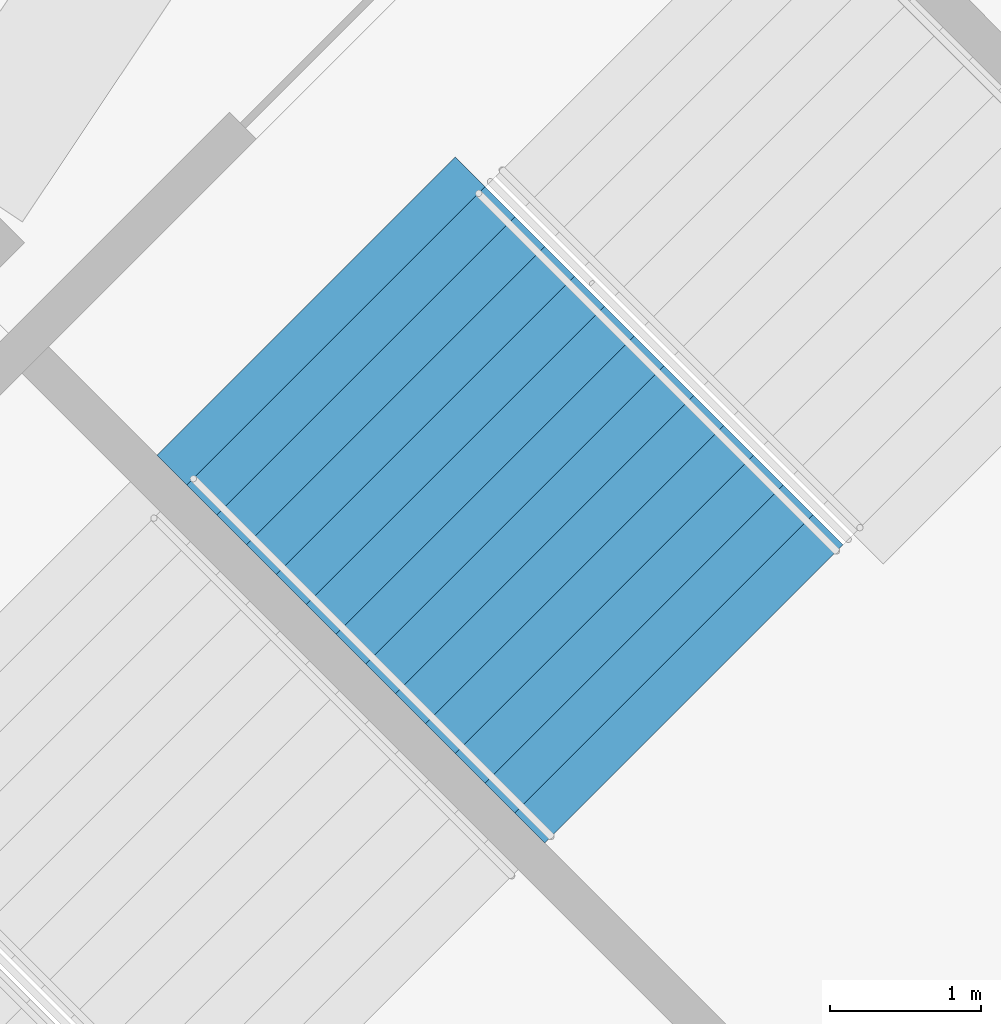
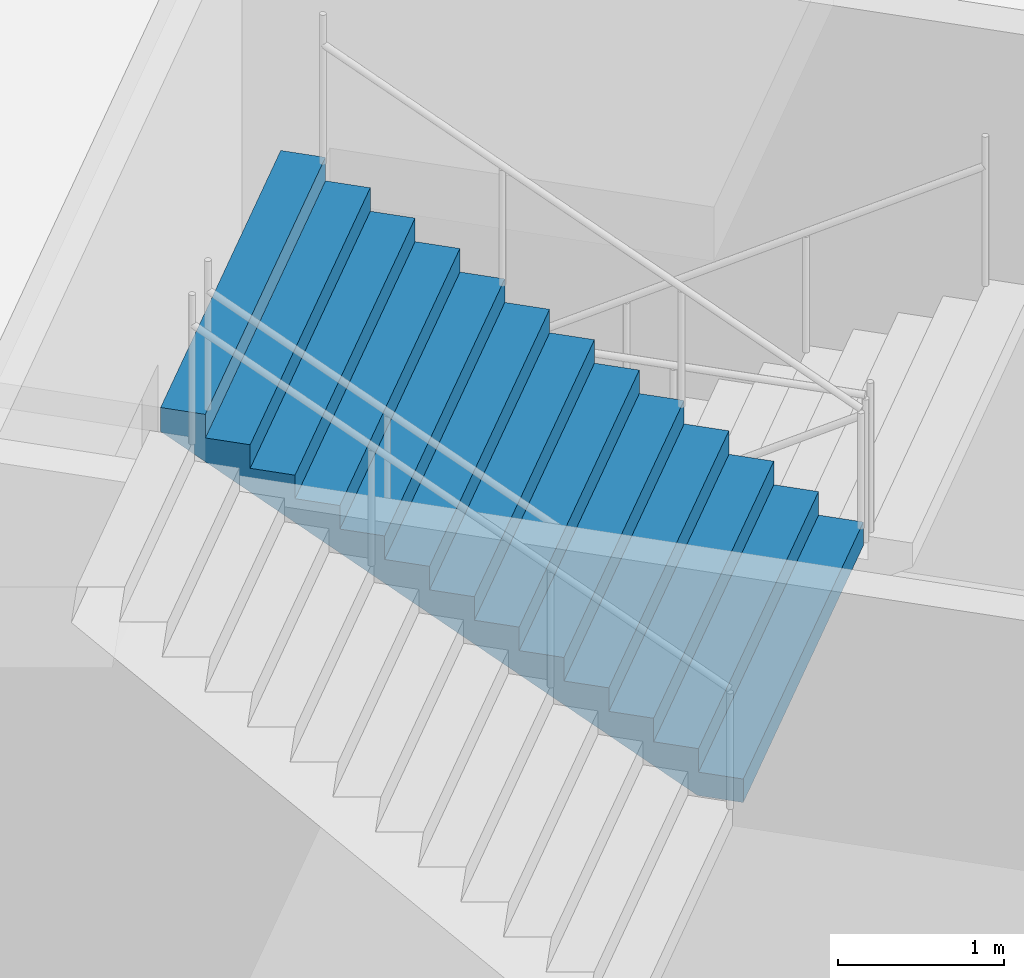
# One storey, part 136 of 199: 1 stair flight, 1 element without a shape of its own.
"""IFC4 building model written with IfcOpenShell, lengths in metres."""

from ifc_helpers import new_model, si_unit, direction, frame, origin, place, context, subcontext, project, spatial, faceted_brep, material, type_object, element, aggregate, save


model = new_model("IFC4")

# Units and contexts
model_context = context("Model", 3, precision=1e-05, world=origin(), true_north=direction((0.0, 1.0)))
body_context = subcontext(model_context, "Body", "Model", "MODEL_VIEW")
ifc_project = project(units=[si_unit("LENGTHUNIT", "METRE"), si_unit("AREAUNIT", "SQUARE_METRE"), si_unit("VOLUMEUNIT", "CUBIC_METRE"), si_unit("PLANEANGLEUNIT", "RADIAN"), si_unit("MASSUNIT", "GRAM", prefix="KILO")], contexts=[model_context])

# Site, building, storey
site_placement = place(None, origin())
site = spatial("IfcSite", under=ifc_project, at=site_placement, CompositionType="ELEMENT")
building_placement = place(site_placement, origin())
building = spatial("IfcBuilding", under=site, at=building_placement, Name="Ogive Plaza Stadium", CompositionType="ELEMENT")
storey_placement = place(building_placement, frame((0.0, 0.0, 9.0)))
storey = spatial("IfcBuildingStorey", under=building, at=storey_placement, Name="L02", CompositionType="ELEMENT", Elevation=9.0)

# Stair, stair flight
ifc_material_1 = material(Name="Concrete C40/50", Category="concrete")
stair_type = type_object("IfcStairType", Name="Exit stair", PredefinedType="STRAIGHT_RUN_STAIR", material=ifc_material_1)
stair_placement = place(storey_placement, origin())
stair = element("IfcStair", 1, at=stair_placement, inside=storey, type_object=stair_type, Name="Exit stair ST10B L02 to L03", PredefinedType="STRAIGHT_RUN_STAIR")
ifc_material_2 = material(Name="Concrete C40/50", Category="concrete")
stair_flight_type = type_object("IfcStairFlightType", Name="Exit stair flight", PredefinedType="STRAIGHT", material=ifc_material_2)
stair_flight_placement = place(storey_placement, frame((67.400146484375, -83.743408203125, 2.25), z_axis=(0.0, 0.0, 1.0), x_axis=(-0.707106781187, 0.707106781187, 0.0)))
stair_flight = element("IfcStairFlight", 2, at=stair_flight_placement, type_object=stair_flight_type, Name="ST10B flight 2", NumberOfRisers=13, NumberOfTreads=12, PredefinedType="STRAIGHT", RiserHeight=0.173076923, TreadLength=0.28, context=body_context, shape_type="Brep", body=[
    faceted_brep([(0.28515625, -1.39990234375, 0.0), (3.639892578125, -1.39990234375, 2.07373046875), (3.639892578125, -1.39990234375, 2.25), (3.360107421875, -1.39990234375, 2.25), (3.360107421875, -1.39990234375, 2.076904296875), (3.080078125, -1.39990234375, 2.076904296875), (3.080078125, -1.39990234375, 1.90380859375), (2.800048828125, -1.39990234375, 1.90380859375), (2.800048828125, -1.39990234375, 1.730712890625), (2.52001953125, -1.39990234375, 1.730712890625), (2.52001953125, -1.39990234375, 1.5576171875), (2.239990234375, -1.39990234375, 1.5576171875), (2.239990234375, -1.39990234375, 1.384521484375), (1.9599609375, -1.39990234375, 1.384521484375), (1.9599609375, -1.39990234375, 1.21142578125), (1.679931640625, -1.39990234375, 1.21142578125), (1.679931640625, -1.39990234375, 1.03857421875), (1.39990234375, -1.39990234375, 1.03857421875), (1.39990234375, -1.39990234375, 0.865478515625), (1.1201171875, -1.39990234375, 0.865478515625), (1.1201171875, -1.39990234375, 0.6923828125), (0.840087890625, -1.39990234375, 0.6923828125), (0.840087890625, -1.39990234375, 0.519287109375), (0.56005859375, -1.39990234375, 0.519287109375), (0.56005859375, -1.39990234375, 0.34619140625), (0.280029296875, -1.39990234375, 0.34619140625), (0.280029296875, -1.39990234375, 0.173095703125), (0.0, -1.39990234375, 0.173095703125), (0.0, -1.39990234375, 0.0), (0.0, 1.39990234375, 0.0), (0.0, 1.39990234375, 0.173095703125), (0.280029296875, 1.39990234375, 0.173095703125), (0.280029296875, 1.39990234375, 0.34619140625), (0.56005859375, 1.39990234375, 0.34619140625), (0.56005859375, 1.39990234375, 0.519287109375), (0.840087890625, 1.39990234375, 0.519287109375), (0.840087890625, 1.39990234375, 0.6923828125), (1.1201171875, 1.39990234375, 0.6923828125), (1.1201171875, 1.39990234375, 0.865478515625), (1.39990234375, 1.39990234375, 0.865478515625), (1.39990234375, 1.39990234375, 1.03857421875), (1.679931640625, 1.39990234375, 1.03857421875), (1.679931640625, 1.39990234375, 1.21142578125), (1.9599609375, 1.39990234375, 1.21142578125), (1.9599609375, 1.39990234375, 1.384521484375), (2.239990234375, 1.39990234375, 1.384521484375), (2.239990234375, 1.39990234375, 1.5576171875), (2.52001953125, 1.39990234375, 1.5576171875), (2.52001953125, 1.39990234375, 1.730712890625), (2.800048828125, 1.39990234375, 1.730712890625), (2.800048828125, 1.39990234375, 1.90380859375), (3.080078125, 1.39990234375, 1.90380859375), (3.080078125, 1.39990234375, 2.076904296875), (3.360107421875, 1.39990234375, 2.076904296875), (3.360107421875, 1.39990234375, 2.25), (3.639892578125, 1.39990234375, 2.25), (3.639892578125, 1.39990234375, 2.07373046875), (0.28515625, 1.39990234375, 0.0), (0.28515625, -1.0888671875, 0.0), (3.639892578125, -1.0888671875, 2.07373046875), (0.28515625, -0.77783203125, 0.0), (3.639892578125, -0.77783203125, 2.07373046875), (0.28515625, -0.466796875, 0.0), (3.639892578125, -0.466796875, 2.07373046875), (0.28515625, -0.155517578125, 0.0), (3.639892578125, -0.155517578125, 2.07373046875), (0.28515625, 0.155517578125, 0.0), (3.639892578125, 0.155517578125, 2.07373046875), (0.28515625, 0.466796875, 0.0), (3.639892578125, 0.466796875, 2.07373046875), (0.28515625, 0.77783203125, 0.0), (3.639892578125, 0.77783203125, 2.07373046875), (0.28515625, 1.0888671875, 0.0), (3.639892578125, 1.0888671875, 2.07373046875), (3.639892578125, -1.0888671875, 2.25), (3.639892578125, -0.77783203125, 2.25), (3.639892578125, -0.466796875, 2.25), (3.639892578125, -0.155517578125, 2.25), (3.639892578125, 0.155517578125, 2.25), (3.639892578125, 0.466796875, 2.25), (3.639892578125, 0.77783203125, 2.25), (3.639892578125, 1.0888671875, 2.25), (3.360107421875, -1.0888671875, 2.25), (3.360107421875, -0.77783203125, 2.25), (3.360107421875, -0.466796875, 2.25), (3.360107421875, -0.155517578125, 2.25), (3.360107421875, 0.155517578125, 2.25), (3.360107421875, 0.466796875, 2.25), (3.360107421875, 0.77783203125, 2.25), (3.360107421875, 1.0888671875, 2.25), (3.360107421875, -1.0888671875, 2.076904296875), (3.360107421875, -0.77783203125, 2.076904296875), (3.360107421875, -0.466796875, 2.076904296875), (3.360107421875, -0.155517578125, 2.076904296875), (3.360107421875, 0.155517578125, 2.076904296875), (3.360107421875, 0.466796875, 2.076904296875), (3.360107421875, 0.77783203125, 2.076904296875), (3.360107421875, 1.0888671875, 2.076904296875), (3.080078125, -1.0888671875, 2.076904296875), (3.080078125, -0.77783203125, 2.076904296875), (3.080078125, -0.466796875, 2.076904296875), (3.080078125, -0.155517578125, 2.076904296875), (3.080078125, 0.155517578125, 2.076904296875), (3.080078125, 0.466796875, 2.076904296875), (3.080078125, 0.77783203125, 2.076904296875), (3.080078125, 1.0888671875, 2.076904296875), (3.080078125, -1.0888671875, 1.90380859375), (3.080078125, -0.77783203125, 1.90380859375), (3.080078125, -0.466796875, 1.90380859375), (3.080078125, -0.155517578125, 1.90380859375), (3.080078125, 0.155517578125, 1.90380859375), (3.080078125, 0.466796875, 1.90380859375), (3.080078125, 0.77783203125, 1.90380859375), (3.080078125, 1.0888671875, 1.90380859375), (2.800048828125, -1.0888671875, 1.90380859375), (2.800048828125, -0.77783203125, 1.90380859375), (2.800048828125, -0.466796875, 1.90380859375), (2.800048828125, -0.155517578125, 1.90380859375), (2.800048828125, 0.155517578125, 1.90380859375), (2.800048828125, 0.466796875, 1.90380859375), (2.800048828125, 0.77783203125, 1.90380859375), (2.800048828125, 1.0888671875, 1.90380859375), (2.800048828125, -1.0888671875, 1.730712890625), (2.800048828125, -0.77783203125, 1.730712890625), (2.800048828125, -0.466796875, 1.730712890625), (2.800048828125, -0.155517578125, 1.730712890625), (2.800048828125, 0.155517578125, 1.730712890625), (2.800048828125, 0.466796875, 1.730712890625), (2.800048828125, 0.77783203125, 1.730712890625), (2.800048828125, 1.0888671875, 1.730712890625), (2.52001953125, -1.0888671875, 1.730712890625), (2.52001953125, -0.77783203125, 1.730712890625), (2.52001953125, -0.466796875, 1.730712890625), (2.52001953125, -0.155517578125, 1.730712890625), (2.52001953125, 0.155517578125, 1.730712890625), (2.52001953125, 0.466796875, 1.730712890625), (2.52001953125, 0.77783203125, 1.730712890625), (2.52001953125, 1.0888671875, 1.730712890625), (2.52001953125, -1.0888671875, 1.5576171875), (2.52001953125, -0.77783203125, 1.5576171875), (2.52001953125, -0.466796875, 1.5576171875), (2.52001953125, -0.155517578125, 1.5576171875), (2.52001953125, 0.155517578125, 1.5576171875), (2.52001953125, 0.466796875, 1.5576171875), (2.52001953125, 0.77783203125, 1.5576171875), (2.52001953125, 1.0888671875, 1.5576171875), (2.239990234375, -1.0888671875, 1.5576171875), (2.239990234375, -0.77783203125, 1.5576171875), (2.239990234375, -0.466796875, 1.5576171875), (2.239990234375, -0.155517578125, 1.5576171875), (2.239990234375, 0.155517578125, 1.5576171875), (2.239990234375, 0.466796875, 1.5576171875), (2.239990234375, 0.77783203125, 1.5576171875), (2.239990234375, 1.0888671875, 1.5576171875), (2.239990234375, -1.0888671875, 1.384521484375), (2.239990234375, -0.77783203125, 1.384521484375), (2.239990234375, -0.466796875, 1.384521484375), (2.239990234375, -0.155517578125, 1.384521484375), (2.239990234375, 0.155517578125, 1.384521484375), (2.239990234375, 0.466796875, 1.384521484375), (2.239990234375, 0.77783203125, 1.384521484375), (2.239990234375, 1.0888671875, 1.384521484375), (1.9599609375, -1.0888671875, 1.384521484375), (1.9599609375, -0.77783203125, 1.384521484375), (1.9599609375, -0.466796875, 1.384521484375), (1.9599609375, -0.155517578125, 1.384521484375), (1.9599609375, 0.155517578125, 1.384521484375), (1.9599609375, 0.466796875, 1.384521484375), (1.9599609375, 0.77783203125, 1.384521484375), (1.9599609375, 1.0888671875, 1.384521484375), (1.9599609375, -1.0888671875, 1.21142578125), (1.9599609375, -0.77783203125, 1.21142578125), (1.9599609375, -0.466796875, 1.21142578125), (1.9599609375, -0.155517578125, 1.21142578125), (1.9599609375, 0.155517578125, 1.21142578125), (1.9599609375, 0.466796875, 1.21142578125), (1.9599609375, 0.77783203125, 1.21142578125), (1.9599609375, 1.0888671875, 1.21142578125), (1.679931640625, -1.0888671875, 1.21142578125), (1.679931640625, -0.77783203125, 1.21142578125), (1.679931640625, -0.466796875, 1.21142578125), (1.679931640625, -0.155517578125, 1.21142578125), (1.679931640625, 0.155517578125, 1.21142578125), (1.679931640625, 0.466796875, 1.21142578125), (1.679931640625, 0.77783203125, 1.21142578125), (1.679931640625, 1.0888671875, 1.21142578125), (1.679931640625, -1.0888671875, 1.03857421875), (1.679931640625, -0.77783203125, 1.03857421875), (1.679931640625, -0.466796875, 1.03857421875), (1.679931640625, -0.155517578125, 1.03857421875), (1.679931640625, 0.155517578125, 1.03857421875), (1.679931640625, 0.466796875, 1.03857421875), (1.679931640625, 0.77783203125, 1.03857421875), (1.679931640625, 1.0888671875, 1.03857421875), (1.39990234375, -1.0888671875, 1.03857421875), (1.39990234375, -0.77783203125, 1.03857421875), (1.39990234375, -0.466796875, 1.03857421875), (1.39990234375, -0.155517578125, 1.03857421875), (1.39990234375, 0.155517578125, 1.03857421875), (1.39990234375, 0.466796875, 1.03857421875), (1.39990234375, 0.77783203125, 1.03857421875), (1.39990234375, 1.0888671875, 1.03857421875), (1.39990234375, -1.0888671875, 0.865478515625), (1.39990234375, -0.77783203125, 0.865478515625), (1.39990234375, -0.466796875, 0.865478515625), (1.39990234375, -0.155517578125, 0.865478515625), (1.39990234375, 0.155517578125, 0.865478515625), (1.39990234375, 0.466796875, 0.865478515625), (1.39990234375, 0.77783203125, 0.865478515625), (1.39990234375, 1.0888671875, 0.865478515625), (1.1201171875, -1.0888671875, 0.865478515625), (1.1201171875, -0.77783203125, 0.865478515625), (1.1201171875, -0.466796875, 0.865478515625), (1.1201171875, -0.155517578125, 0.865478515625), (1.1201171875, 0.155517578125, 0.865478515625), (1.1201171875, 0.466796875, 0.865478515625), (1.1201171875, 0.77783203125, 0.865478515625), (1.1201171875, 1.0888671875, 0.865478515625), (1.1201171875, -1.0888671875, 0.6923828125), (1.1201171875, -0.77783203125, 0.6923828125), (1.1201171875, -0.466796875, 0.6923828125), (1.1201171875, -0.155517578125, 0.6923828125), (1.1201171875, 0.155517578125, 0.6923828125), (1.1201171875, 0.466796875, 0.6923828125), (1.1201171875, 0.77783203125, 0.6923828125), (1.1201171875, 1.0888671875, 0.6923828125), (0.840087890625, -1.0888671875, 0.6923828125), (0.840087890625, -0.77783203125, 0.6923828125), (0.840087890625, -0.466796875, 0.6923828125), (0.840087890625, -0.155517578125, 0.6923828125), (0.840087890625, 0.155517578125, 0.6923828125), (0.840087890625, 0.466796875, 0.6923828125), (0.840087890625, 0.77783203125, 0.6923828125), (0.840087890625, 1.0888671875, 0.6923828125), (0.840087890625, -1.0888671875, 0.519287109375), (0.840087890625, -0.77783203125, 0.519287109375), (0.840087890625, -0.466796875, 0.519287109375), (0.840087890625, -0.155517578125, 0.519287109375), (0.840087890625, 0.155517578125, 0.519287109375), (0.840087890625, 0.466796875, 0.519287109375), (0.840087890625, 0.77783203125, 0.519287109375), (0.840087890625, 1.0888671875, 0.519287109375), (0.56005859375, -1.0888671875, 0.519287109375), (0.56005859375, -0.77783203125, 0.519287109375), (0.56005859375, -0.466796875, 0.519287109375), (0.56005859375, -0.155517578125, 0.519287109375), (0.56005859375, 0.155517578125, 0.519287109375), (0.56005859375, 0.466796875, 0.519287109375), (0.56005859375, 0.77783203125, 0.519287109375), (0.56005859375, 1.0888671875, 0.519287109375), (0.56005859375, -1.0888671875, 0.34619140625), (0.56005859375, -0.77783203125, 0.34619140625), (0.56005859375, -0.466796875, 0.34619140625), (0.56005859375, -0.155517578125, 0.34619140625), (0.56005859375, 0.155517578125, 0.34619140625), (0.56005859375, 0.466796875, 0.34619140625), (0.56005859375, 0.77783203125, 0.34619140625), (0.56005859375, 1.0888671875, 0.34619140625), (0.280029296875, -1.0888671875, 0.34619140625), (0.280029296875, -0.77783203125, 0.34619140625), (0.280029296875, -0.466796875, 0.34619140625), (0.280029296875, -0.155517578125, 0.34619140625), (0.280029296875, 0.155517578125, 0.34619140625), (0.280029296875, 0.466796875, 0.34619140625), (0.280029296875, 0.77783203125, 0.34619140625), (0.280029296875, 1.0888671875, 0.34619140625), (0.280029296875, -1.0888671875, 0.173095703125), (0.280029296875, -0.77783203125, 0.173095703125), (0.280029296875, -0.466796875, 0.173095703125), (0.280029296875, -0.155517578125, 0.173095703125), (0.280029296875, 0.155517578125, 0.173095703125), (0.280029296875, 0.466796875, 0.173095703125), (0.280029296875, 0.77783203125, 0.173095703125), (0.280029296875, 1.0888671875, 0.173095703125), (0.0, -1.0888671875, 0.173095703125), (0.0, -0.77783203125, 0.173095703125), (0.0, -0.466796875, 0.173095703125), (0.0, -0.155517578125, 0.173095703125), (0.0, 0.155517578125, 0.173095703125), (0.0, 0.466796875, 0.173095703125), (0.0, 0.77783203125, 0.173095703125), (0.0, 1.0888671875, 0.173095703125), (0.0, -1.0888671875, 0.0), (0.0, -0.77783203125, 0.0), (0.0, -0.466796875, 0.0), (0.0, -0.155517578125, 0.0), (0.0, 0.155517578125, 0.0), (0.0, 0.466796875, 0.0), (0.0, 0.77783203125, 0.0), (0.0, 1.0888671875, 0.0)], [[[0, 1, 2, 3, 4, 5, 6, 7, 8, 9, 10, 11, 12, 13, 14, 15, 16, 17, 18, 19, 20, 21, 22, 23, 24, 25, 26, 27, 28]], [[29, 30, 31, 32, 33, 34, 35, 36, 37, 38, 39, 40, 41, 42, 43, 44, 45, 46, 47, 48, 49, 50, 51, 52, 53, 54, 55, 56, 57]], [[0, 58, 59, 1]], [[58, 60, 61, 59]], [[60, 62, 63, 61]], [[62, 64, 65, 63]], [[64, 66, 67, 65]], [[66, 68, 69, 67]], [[68, 70, 71, 69]], [[70, 72, 73, 71]], [[72, 57, 56, 73]], [[1, 59, 74, 2]], [[59, 61, 75, 74]], [[61, 63, 76, 75]], [[63, 65, 77, 76]], [[65, 67, 78, 77]], [[67, 69, 79, 78]], [[69, 71, 80, 79]], [[71, 73, 81, 80]], [[73, 56, 55, 81]], [[2, 74, 82, 3]], [[74, 75, 83, 82]], [[75, 76, 84, 83]], [[76, 77, 85, 84]], [[77, 78, 86, 85]], [[78, 79, 87, 86]], [[79, 80, 88, 87]], [[80, 81, 89, 88]], [[81, 55, 54, 89]], [[3, 82, 90, 4]], [[82, 83, 91, 90]], [[83, 84, 92, 91]], [[84, 85, 93, 92]], [[85, 86, 94, 93]], [[86, 87, 95, 94]], [[87, 88, 96, 95]], [[88, 89, 97, 96]], [[89, 54, 53, 97]], [[4, 90, 98, 5]], [[90, 91, 99, 98]], [[91, 92, 100, 99]], [[92, 93, 101, 100]], [[93, 94, 102, 101]], [[94, 95, 103, 102]], [[95, 96, 104, 103]], [[96, 97, 105, 104]], [[97, 53, 52, 105]], [[5, 98, 106, 6]], [[98, 99, 107, 106]], [[99, 100, 108, 107]], [[100, 101, 109, 108]], [[101, 102, 110, 109]], [[102, 103, 111, 110]], [[103, 104, 112, 111]], [[104, 105, 113, 112]], [[105, 52, 51, 113]], [[6, 106, 114, 7]], [[106, 107, 115, 114]], [[107, 108, 116, 115]], [[108, 109, 117, 116]], [[109, 110, 118, 117]], [[110, 111, 119, 118]], [[111, 112, 120, 119]], [[112, 113, 121, 120]], [[113, 51, 50, 121]], [[7, 114, 122, 8]], [[114, 115, 123, 122]], [[115, 116, 124, 123]], [[116, 117, 125, 124]], [[117, 118, 126, 125]], [[118, 119, 127, 126]], [[119, 120, 128, 127]], [[120, 121, 129, 128]], [[121, 50, 49, 129]], [[8, 122, 130, 9]], [[122, 123, 131, 130]], [[123, 124, 132, 131]], [[124, 125, 133, 132]], [[125, 126, 134, 133]], [[126, 127, 135, 134]], [[127, 128, 136, 135]], [[128, 129, 137, 136]], [[129, 49, 48, 137]], [[9, 130, 138, 10]], [[130, 131, 139, 138]], [[131, 132, 140, 139]], [[132, 133, 141, 140]], [[133, 134, 142, 141]], [[134, 135, 143, 142]], [[135, 136, 144, 143]], [[136, 137, 145, 144]], [[137, 48, 47, 145]], [[10, 138, 146, 11]], [[138, 139, 147, 146]], [[139, 140, 148, 147]], [[140, 141, 149, 148]], [[141, 142, 150, 149]], [[142, 143, 151, 150]], [[143, 144, 152, 151]], [[144, 145, 153, 152]], [[145, 47, 46, 153]], [[11, 146, 154, 12]], [[146, 147, 155, 154]], [[147, 148, 156, 155]], [[148, 149, 157, 156]], [[149, 150, 158, 157]], [[150, 151, 159, 158]], [[151, 152, 160, 159]], [[152, 153, 161, 160]], [[153, 46, 45, 161]], [[12, 154, 162, 13]], [[154, 155, 163, 162]], [[155, 156, 164, 163]], [[156, 157, 165, 164]], [[157, 158, 166, 165]], [[158, 159, 167, 166]], [[159, 160, 168, 167]], [[160, 161, 169, 168]], [[161, 45, 44, 169]], [[13, 162, 170, 14]], [[162, 163, 171, 170]], [[163, 164, 172, 171]], [[164, 165, 173, 172]], [[165, 166, 174, 173]], [[166, 167, 175, 174]], [[167, 168, 176, 175]], [[168, 169, 177, 176]], [[169, 44, 43, 177]], [[14, 170, 178, 15]], [[170, 171, 179, 178]], [[171, 172, 180, 179]], [[172, 173, 181, 180]], [[173, 174, 182, 181]], [[174, 175, 183, 182]], [[175, 176, 184, 183]], [[176, 177, 185, 184]], [[177, 43, 42, 185]], [[15, 178, 186, 16]], [[178, 179, 187, 186]], [[179, 180, 188, 187]], [[180, 181, 189, 188]], [[181, 182, 190, 189]], [[182, 183, 191, 190]], [[183, 184, 192, 191]], [[184, 185, 193, 192]], [[185, 42, 41, 193]], [[16, 186, 194, 17]], [[186, 187, 195, 194]], [[187, 188, 196, 195]], [[188, 189, 197, 196]], [[189, 190, 198, 197]], [[190, 191, 199, 198]], [[191, 192, 200, 199]], [[192, 193, 201, 200]], [[193, 41, 40, 201]], [[17, 194, 202, 18]], [[194, 195, 203, 202]], [[195, 196, 204, 203]], [[196, 197, 205, 204]], [[197, 198, 206, 205]], [[198, 199, 207, 206]], [[199, 200, 208, 207]], [[200, 201, 209, 208]], [[201, 40, 39, 209]], [[18, 202, 210, 19]], [[202, 203, 211, 210]], [[203, 204, 212, 211]], [[204, 205, 213, 212]], [[205, 206, 214, 213]], [[206, 207, 215, 214]], [[207, 208, 216, 215]], [[208, 209, 217, 216]], [[209, 39, 38, 217]], [[19, 210, 218, 20]], [[210, 211, 219, 218]], [[211, 212, 220, 219]], [[212, 213, 221, 220]], [[213, 214, 222, 221]], [[214, 215, 223, 222]], [[215, 216, 224, 223]], [[216, 217, 225, 224]], [[217, 38, 37, 225]], [[20, 218, 226, 21]], [[218, 219, 227, 226]], [[219, 220, 228, 227]], [[220, 221, 229, 228]], [[221, 222, 230, 229]], [[222, 223, 231, 230]], [[223, 224, 232, 231]], [[224, 225, 233, 232]], [[225, 37, 36, 233]], [[21, 226, 234, 22]], [[226, 227, 235, 234]], [[227, 228, 236, 235]], [[228, 229, 237, 236]], [[229, 230, 238, 237]], [[230, 231, 239, 238]], [[231, 232, 240, 239]], [[232, 233, 241, 240]], [[233, 36, 35, 241]], [[22, 234, 242, 23]], [[234, 235, 243, 242]], [[235, 236, 244, 243]], [[236, 237, 245, 244]], [[237, 238, 246, 245]], [[238, 239, 247, 246]], [[239, 240, 248, 247]], [[240, 241, 249, 248]], [[241, 35, 34, 249]], [[23, 242, 250, 24]], [[242, 243, 251, 250]], [[243, 244, 252, 251]], [[244, 245, 253, 252]], [[245, 246, 254, 253]], [[246, 247, 255, 254]], [[247, 248, 256, 255]], [[248, 249, 257, 256]], [[249, 34, 33, 257]], [[24, 250, 258, 25]], [[250, 251, 259, 258]], [[251, 252, 260, 259]], [[252, 253, 261, 260]], [[253, 254, 262, 261]], [[254, 255, 263, 262]], [[255, 256, 264, 263]], [[256, 257, 265, 264]], [[257, 33, 32, 265]], [[25, 258, 266, 26]], [[258, 259, 267, 266]], [[259, 260, 268, 267]], [[260, 261, 269, 268]], [[261, 262, 270, 269]], [[262, 263, 271, 270]], [[263, 264, 272, 271]], [[264, 265, 273, 272]], [[265, 32, 31, 273]], [[26, 266, 274, 27]], [[266, 267, 275, 274]], [[267, 268, 276, 275]], [[268, 269, 277, 276]], [[269, 270, 278, 277]], [[270, 271, 279, 278]], [[271, 272, 280, 279]], [[272, 273, 281, 280]], [[273, 31, 30, 281]], [[27, 274, 282, 28]], [[274, 275, 283, 282]], [[275, 276, 284, 283]], [[276, 277, 285, 284]], [[277, 278, 286, 285]], [[278, 279, 287, 286]], [[279, 280, 288, 287]], [[280, 281, 289, 288]], [[281, 30, 29, 289]], [[28, 282, 58, 0]], [[282, 283, 60, 58]], [[283, 284, 62, 60]], [[284, 285, 64, 62]], [[285, 286, 66, 64]], [[286, 287, 68, 66]], [[287, 288, 70, 68]], [[288, 289, 72, 70]], [[289, 29, 57, 72]]]),
])
aggregate(stair, [stair_flight])

save(model, "model.ifc")
